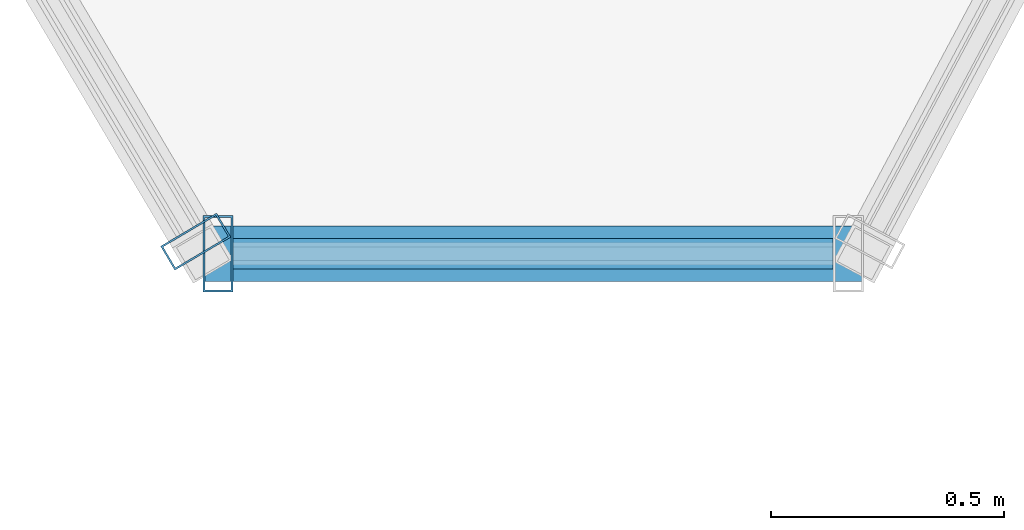
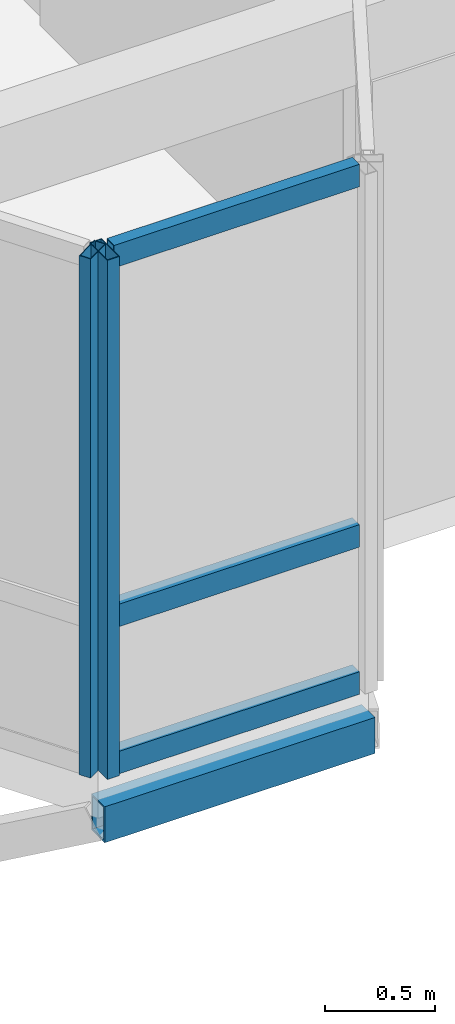
# One storey, part 28 of 65: 6 members, 2 elements without a shape of their own.
"""IFC4 building model written with IfcOpenShell, lengths in metres."""

from ifc_helpers import new_model, si_unit, direction, frame, origin, origin_2d, place, context, subcontext, project, spatial, hollow_rectangle, extrude, material, layer, layer_set, material_profile, profile_set, type_object, element, aggregate, save


model = new_model("IFC4")

# Units and contexts
model_context = context("Model", 3, precision=1e-05, world=origin(), true_north=direction((0.0, 1.0)))
body_context = subcontext(model_context, "Body", "Model", "MODEL_VIEW")
ifc_project = project(units=[si_unit("LENGTHUNIT", "METRE"), si_unit("AREAUNIT", "SQUARE_METRE"), si_unit("VOLUMEUNIT", "CUBIC_METRE"), si_unit("PLANEANGLEUNIT", "RADIAN"), si_unit("MASSUNIT", "GRAM", prefix="KILO"), si_unit("THERMODYNAMICTEMPERATUREUNIT", "KELVIN"), si_unit("POWERUNIT", "WATT")], contexts=[model_context])

# Site, building, storey
site_placement = place(None, origin())
site = spatial("IfcSite", under=ifc_project, at=site_placement, CompositionType="ELEMENT")
building_placement = place(site_placement, origin())
building = spatial("IfcBuilding", under=site, at=building_placement, Name="Tavuni Mirador Residences", CompositionType="ELEMENT")
storey_placement = place(building_placement, frame((0.0, 0.0, 29.699951171875)))
storey = spatial("IfcBuildingStorey", under=building, at=storey_placement, Name="L09", CompositionType="ELEMENT", Elevation=29.699951171875)

# Curtain wall, member
ifc_material_1 = material(Name="Anodised aluminium", Category="aluminium")
ifc_layer_1 = layer(ifc_material_1, 0.1650390625, Name="Anodised aluminium", Category="aluminium")
ifc_layer_set_1 = layer_set([ifc_layer_1], Name="Anodised aluminium")
curtain_wall_type_1 = type_object("IfcCurtainWallType", Name="CWT-MIR-A", PredefinedType="NOTDEFINED", material=ifc_layer_set_1)
curtain_wall_1_placement = place(storey_placement, origin())
curtain_wall_1 = element("IfcCurtainWall", 1, at=curtain_wall_1_placement, inside=storey, type_object=curtain_wall_type_1, Name="CW-MIR-C-S2-L09-M1", PredefinedType="NOTDEFINED")
ifc_material_profile_1 = material_profile(ifc_material_1, hollow_rectangle(XDim=0.06005859375, YDim=0.139892578125, WallThickness=0.00390625, at=origin_2d()), Name="ALU 60x140x4.0", Category="aluminium")
ifc_profile_set_1 = profile_set([ifc_material_profile_1], Name="Anodised aluminium")
member_type_1 = type_object("IfcMemberType", Name="CWM-140", PredefinedType="MULLION", material=ifc_profile_set_1)
member_1_placement = place(storey_placement, frame((33.3447265625, 142.825927734375, 0.0), z_axis=(0.0, 0.0, 1.0), x_axis=(0.509212491254, -0.860640830284, 0.0)))
member_1 = element("IfcMember", 2, at=member_1_placement, type_object=member_type_1, Name="CW-01 mullion 2", PredefinedType="MULLION", context=body_context, shape_type="SweptSolid", body=[
    extrude(hollow_rectangle(XDim=0.06005859375, YDim=0.139892578125, WallThickness=0.00390625, at=origin_2d()), origin(), (0.0, 0.0, 1.0), 2.885009765625),
])
aggregate(curtain_wall_1, [member_1])

# Curtain wall, members
ifc_layer_2 = layer(ifc_material_1, 0.14990234375, Name="Anodised aluminium", Category="aluminium")
ifc_layer_set_2 = layer_set([ifc_layer_2], Name="Anodised aluminium")
curtain_wall_type_2 = type_object("IfcCurtainWallType", Name="CWT-MIR-B", PredefinedType="NOTDEFINED", material=ifc_layer_set_2)
curtain_wall_2_placement = place(storey_placement, origin())
curtain_wall_2 = element("IfcCurtainWall", 3, at=curtain_wall_2_placement, inside=storey, type_object=curtain_wall_type_2, Name="CW-MIR-C-S2-L09-MF", PredefinedType="NOTDEFINED")
ifc_material_profile_2 = material_profile(ifc_material_1, hollow_rectangle(XDim=0.06494140625, YDim=0.1650390625, WallThickness=0.00439453125, at=origin_2d()), Name="ALU 65x165x4.5", Category="aluminium")
ifc_profile_set_2 = profile_set([ifc_material_profile_2], Name="Anodised aluminium")
member_type_2 = type_object("IfcMemberType", Name="CWM-165", PredefinedType="MULLION", material=ifc_profile_set_2)
member_2_placement = place(storey_placement, frame((33.392578125, 142.800048828125, 0.0), z_axis=(0.0, 0.0, 1.0), x_axis=(1.0, 0.0, 0.0)))
member_2 = element("IfcMember", 4, at=member_2_placement, type_object=member_type_2, Name="CW-02 mullion 1", PredefinedType="MULLION", context=body_context, shape_type="SweptSolid", body=[
    extrude(hollow_rectangle(XDim=0.06494140625, YDim=0.1650390625, WallThickness=0.00439453125, at=origin_2d()), origin(), (0.0, 0.0, 1.0), 2.885009765625),
])
ifc_material_profile_3 = material_profile(ifc_material_1, hollow_rectangle(XDim=0.06494140625, YDim=0.125, WallThickness=0.00439453125, at=origin_2d()), Name="ALU 65x125x4.5", Category="aluminium")
ifc_profile_set_3 = profile_set([ifc_material_profile_3], Name="Anodised aluminium")
member_type_3 = type_object("IfcMemberType", Name="CWT-125", PredefinedType="USERDEFINED", material=ifc_profile_set_3)
member_3_placement = place(storey_placement, frame((33.425048828125, 142.800048828125, 0.032470703125), z_axis=(1.0, 0.0, 0.0), x_axis=(0.0, 1.0, 0.0)))
member_3 = element("IfcMember", 5, at=member_3_placement, type_object=member_type_3, Name="CW-02 transom 1.1", ObjectType="TRANSOM", PredefinedType="USERDEFINED", context=body_context, shape_type="SweptSolid", body=[
    extrude(hollow_rectangle(XDim=0.06494140625, YDim=0.125, WallThickness=0.00439453125, at=origin_2d()), origin(), (0.0, 0.0, 1.0), 1.2900390625),
])
member_4_placement = place(storey_placement, frame((33.425048828125, 142.800048828125, 0.85009765625), z_axis=(1.0, 0.0, 0.0), x_axis=(0.0, 1.0, 0.0)))
member_4 = element("IfcMember", 6, at=member_4_placement, type_object=member_type_3, Name="CW-02 transom 1.2", ObjectType="TRANSOM", PredefinedType="USERDEFINED", context=body_context, shape_type="SweptSolid", body=[
    extrude(hollow_rectangle(XDim=0.06494140625, YDim=0.125, WallThickness=0.00439453125, at=origin_2d()), origin(), (0.0, 0.0, 1.0), 1.2900390625),
])
member_5_placement = place(storey_placement, frame((33.425048828125, 142.800048828125, 2.8525390625), z_axis=(1.0, 0.0, 0.0), x_axis=(0.0, 1.0, 0.0)))
member_5 = element("IfcMember", 7, at=member_5_placement, type_object=member_type_3, Name="CW-02 transom 1.3", ObjectType="TRANSOM", PredefinedType="USERDEFINED", context=body_context, shape_type="SweptSolid", body=[
    extrude(hollow_rectangle(XDim=0.06494140625, YDim=0.125, WallThickness=0.00439453125, at=origin_2d()), origin(), (0.0, 0.0, 1.0), 1.2900390625),
])
aggregate(curtain_wall_2, [member_2, member_3, member_4, member_5])

# Member
ifc_material_2 = material(Name="Structural steel S355", Category="steel")
ifc_material_profile_4 = material_profile(ifc_material_2, hollow_rectangle(XDim=0.1201171875, YDim=0.199951171875, WallThickness=0.010009765625, at=origin_2d()), Name="RHS 200x120x10.0", Category="steel")
ifc_profile_set_4 = profile_set([ifc_material_profile_4], Name="Structural steel S355")
member_type_4 = type_object("IfcMemberType", Name="MT-ST-RHS200", PredefinedType="STRUT", material=ifc_profile_set_4)
member_6_placement = place(storey_placement, frame((33.360107421875, 142.800048828125, -0.264892578125), z_axis=(1.0, 0.0, 0.0), x_axis=(0.0, 1.0, 0.0)))
element("IfcMember", 8, at=member_6_placement, inside=storey, type_object=member_type_4, Name="MRIM-MIR-C-S2-L09", PredefinedType="STRUT", context=body_context, shape_type="SweptSolid", body=[
    extrude(hollow_rectangle(XDim=0.1201171875, YDim=0.199951171875, WallThickness=0.010009765625, at=origin_2d()), origin(), (0.0, 0.0, 1.0), 1.419921875),
])

save(model, "model.ifc")
